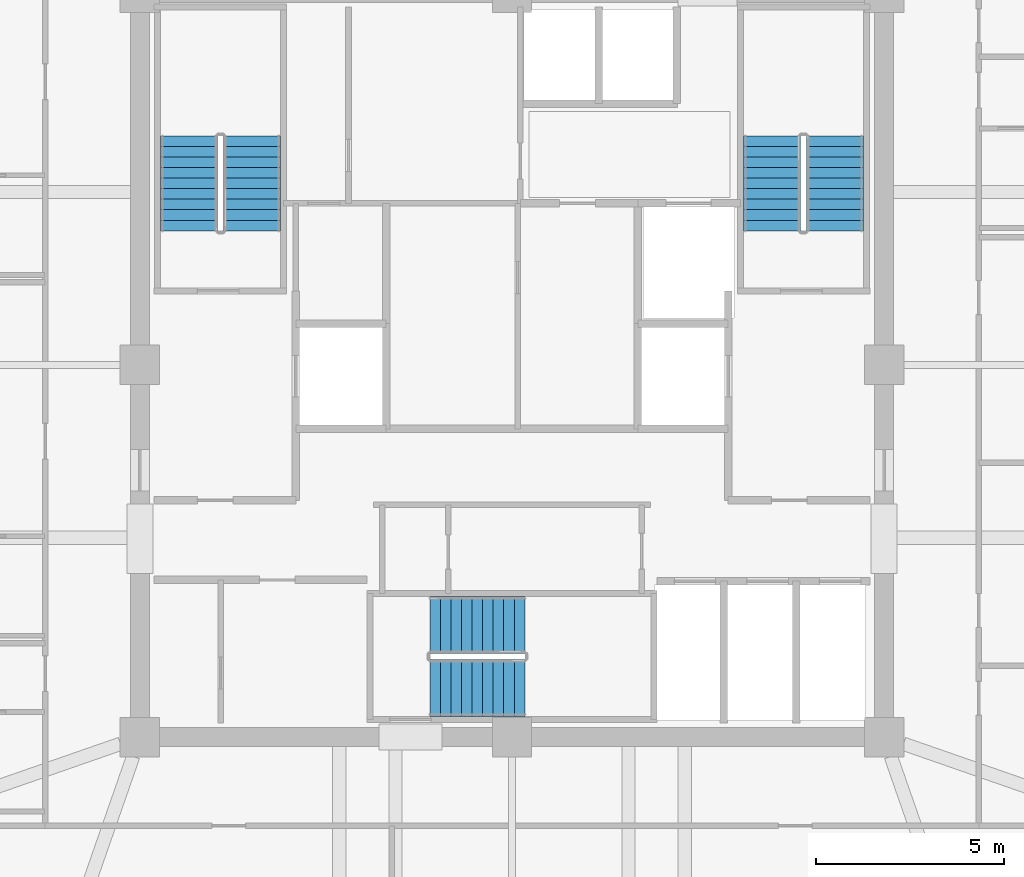
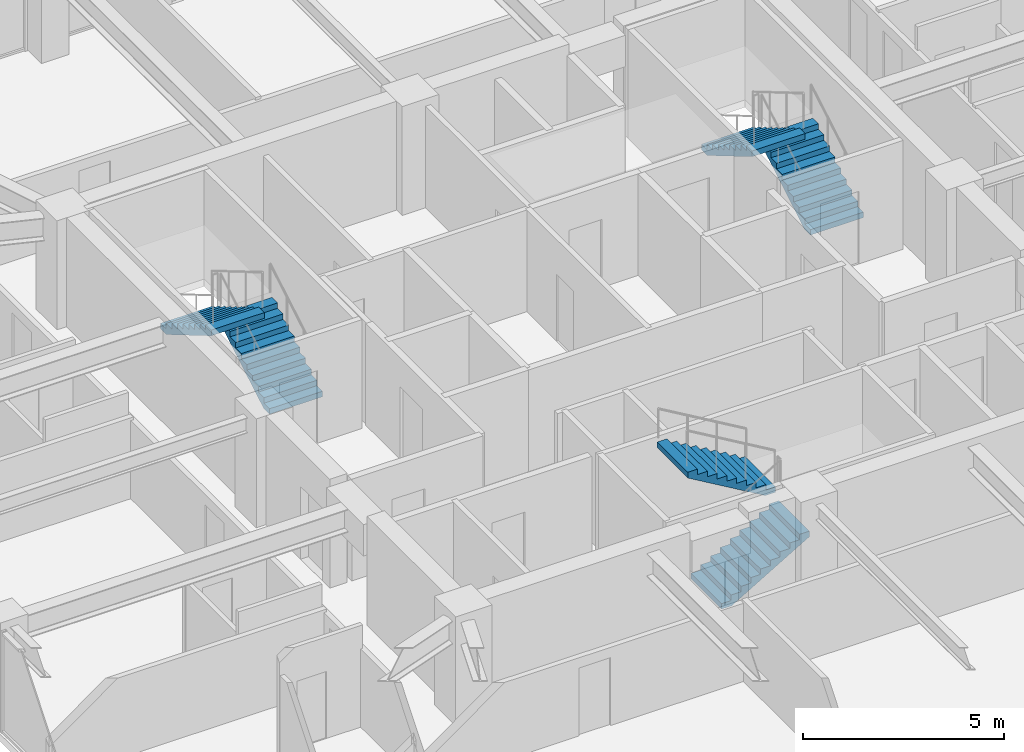
# One storey, part 34 of 36: 6 stair flights, 3 elements without a shape of their own.
"""IFC4 building model written with IfcOpenShell, lengths in metres."""

from ifc_helpers import new_model, si_unit, direction, frame, origin, place, context, subcontext, project, spatial, polyline, outline, extrude, material, type_object, element, aggregate, save


model = new_model("IFC4")

# Units and contexts
model_context = context("Model", 3, precision=1e-05, world=origin(), true_north=direction((0.0, 1.0)))
body_context = subcontext(model_context, "Body", "Model", "MODEL_VIEW")
ifc_project = project(units=[si_unit("LENGTHUNIT", "METRE"), si_unit("AREAUNIT", "SQUARE_METRE"), si_unit("VOLUMEUNIT", "CUBIC_METRE"), si_unit("PLANEANGLEUNIT", "RADIAN"), si_unit("MASSUNIT", "GRAM", prefix="KILO")], contexts=[model_context])

# Site, building, storey
site_placement = place(None, origin())
site = spatial("IfcSite", under=ifc_project, at=site_placement, CompositionType="ELEMENT")
building_placement = place(site_placement, origin())
building = spatial("IfcBuilding", under=site, at=building_placement, Name="Kolvaren Belvedere", CompositionType="ELEMENT")
storey_placement = place(building_placement, frame((0.0, 0.0, 199.800048828125)))
storey = spatial("IfcBuildingStorey", under=building, at=storey_placement, Name="L58", CompositionType="ELEMENT", Elevation=199.800048828125)

# Stair, stair flights
ifc_material_1 = material(Name="Concrete C50/60", Category="concrete")
stair_type = type_object("IfcStairType", Name="ST-CORE-1520", PredefinedType="HALF_TURN_STAIR", material=ifc_material_1)
stair_1_placement = place(storey_placement, origin())
stair_1 = element("IfcStair", 1, at=stair_1_placement, inside=storey, type_object=stair_type, Name="L58 Protected Exit Stair ST-1", PredefinedType="HALF_TURN_STAIR")
ifc_material_2 = material(Name="Concrete C50/60", Category="concrete")
stair_flight_type = type_object("IfcStairFlightType", Name="SF-STR-1520", PredefinedType="STRAIGHT", material=ifc_material_2)
stair_flight_1_placement = place(storey_placement, frame((-6.919921875, 3.570068359375, 0.0), z_axis=(0.0, 0.0, 1.0), x_axis=(0.0, 1.0, 0.0)))
stair_flight_1 = element("IfcStairFlight", 2, at=stair_flight_1_placement, type_object=stair_flight_type, Name="ST-1 flight 1", NumberOfRisers=10, NumberOfTreads=9, PredefinedType="STRAIGHT", RiserHeight=0.165, TreadLength=0.28, context=body_context, shape_type="SweptSolid", body=[
    extrude(outline(polyline([(0.0, 0.0), (0.0, 0.1650390625), (0.280029296875, 0.1650390625), (0.280029296875, 0.330078125), (0.56005859375, 0.330078125), (0.56005859375, 0.4951171875), (0.840087890625, 0.4951171875), (0.840087890625, 0.659912109375), (1.1201171875, 0.659912109375), (1.1201171875, 0.824951171875), (1.39990234375, 0.824951171875), (1.39990234375, 0.989990234375), (1.679931640625, 0.989990234375), (1.679931640625, 1.155029296875), (1.9599609375, 1.155029296875), (1.9599609375, 1.320068359375), (2.239990234375, 1.320068359375), (2.239990234375, 1.485107421875), (2.52001953125, 1.485107421875), (2.52001953125, 1.64990234375), (2.52001953125, 1.31103515625), (0.295166015625, 0.0), (0.0, 0.0)])), frame((0.0, 0.760009765625, 0.0), z_axis=(0.0, -1.0, 0.0), x_axis=(1.0, 0.0, 0.0)), (0.0, 0.0, 1.0), 1.52001953125),
])
stair_flight_2_placement = place(storey_placement, frame((-8.590087890625, 6.090087890625, 1.64990234375), z_axis=(0.0, 0.0, 1.0), x_axis=(0.0, -1.0, 0.0)))
stair_flight_2 = element("IfcStairFlight", 3, at=stair_flight_2_placement, type_object=stair_flight_type, Name="ST-1 flight 2", NumberOfRisers=10, NumberOfTreads=9, PredefinedType="STRAIGHT", RiserHeight=0.165, TreadLength=0.28, context=body_context, shape_type="SweptSolid", body=[
    extrude(outline(polyline([(0.0, 0.0), (0.0, 0.1650390625), (0.280029296875, 0.1650390625), (0.280029296875, 0.330078125), (0.56005859375, 0.330078125), (0.56005859375, 0.4951171875), (0.840087890625, 0.4951171875), (0.840087890625, 0.659912109375), (1.1201171875, 0.659912109375), (1.1201171875, 0.824951171875), (1.39990234375, 0.824951171875), (1.39990234375, 0.989990234375), (1.679931640625, 0.989990234375), (1.679931640625, 1.155029296875), (1.9599609375, 1.155029296875), (1.9599609375, 1.320068359375), (2.239990234375, 1.320068359375), (2.239990234375, 1.485107421875), (2.52001953125, 1.485107421875), (2.52001953125, 1.64990234375), (2.52001953125, 1.31103515625), (0.295166015625, 0.0), (0.0, 0.0)])), frame((0.0, 0.760009765625, 0.0), z_axis=(0.0, -1.0, 0.0), x_axis=(1.0, 0.0, 0.0)), (0.0, 0.0, 1.0), 1.52001953125),
])
aggregate(stair_1, [stair_flight_1, stair_flight_2])

stair_2_placement = place(storey_placement, origin())
stair_2 = element("IfcStair", 4, at=stair_2_placement, inside=storey, type_object=stair_type, Name="L58 Protected Exit Stair ST-2", PredefinedType="HALF_TURN_STAIR")
stair_flight_3_placement = place(storey_placement, frame((8.590087890625, 3.570068359375, 0.0), z_axis=(0.0, 0.0, 1.0), x_axis=(0.0, 1.0, 0.0)))
stair_flight_3 = element("IfcStairFlight", 5, at=stair_flight_3_placement, type_object=stair_flight_type, Name="ST-2 flight 1", NumberOfRisers=10, NumberOfTreads=9, PredefinedType="STRAIGHT", RiserHeight=0.165, TreadLength=0.28, context=body_context, shape_type="SweptSolid", body=[
    extrude(outline(polyline([(0.0, 0.0), (0.0, 0.1650390625), (0.280029296875, 0.1650390625), (0.280029296875, 0.330078125), (0.56005859375, 0.330078125), (0.56005859375, 0.4951171875), (0.840087890625, 0.4951171875), (0.840087890625, 0.659912109375), (1.1201171875, 0.659912109375), (1.1201171875, 0.824951171875), (1.39990234375, 0.824951171875), (1.39990234375, 0.989990234375), (1.679931640625, 0.989990234375), (1.679931640625, 1.155029296875), (1.9599609375, 1.155029296875), (1.9599609375, 1.320068359375), (2.239990234375, 1.320068359375), (2.239990234375, 1.485107421875), (2.52001953125, 1.485107421875), (2.52001953125, 1.64990234375), (2.52001953125, 1.31103515625), (0.295166015625, 0.0), (0.0, 0.0)])), frame((0.0, 0.760009765625, 0.0), z_axis=(0.0, -1.0, 0.0), x_axis=(1.0, 0.0, 0.0)), (0.0, 0.0, 1.0), 1.52001953125),
])
stair_flight_4_placement = place(storey_placement, frame((6.919921875, 6.090087890625, 1.64990234375), z_axis=(0.0, 0.0, 1.0), x_axis=(0.0, -1.0, 0.0)))
stair_flight_4 = element("IfcStairFlight", 6, at=stair_flight_4_placement, type_object=stair_flight_type, Name="ST-2 flight 2", NumberOfRisers=10, NumberOfTreads=9, PredefinedType="STRAIGHT", RiserHeight=0.165, TreadLength=0.28, context=body_context, shape_type="SweptSolid", body=[
    extrude(outline(polyline([(0.0, 0.0), (0.0, 0.1650390625), (0.280029296875, 0.1650390625), (0.280029296875, 0.330078125), (0.56005859375, 0.330078125), (0.56005859375, 0.4951171875), (0.840087890625, 0.4951171875), (0.840087890625, 0.659912109375), (1.1201171875, 0.659912109375), (1.1201171875, 0.824951171875), (1.39990234375, 0.824951171875), (1.39990234375, 0.989990234375), (1.679931640625, 0.989990234375), (1.679931640625, 1.155029296875), (1.9599609375, 1.155029296875), (1.9599609375, 1.320068359375), (2.239990234375, 1.320068359375), (2.239990234375, 1.485107421875), (2.52001953125, 1.485107421875), (2.52001953125, 1.64990234375), (2.52001953125, 1.31103515625), (0.295166015625, 0.0), (0.0, 0.0)])), frame((0.0, 0.760009765625, 0.0), z_axis=(0.0, -1.0, 0.0), x_axis=(1.0, 0.0, 0.0)), (0.0, 0.0, 1.0), 1.52001953125),
])
aggregate(stair_2, [stair_flight_3, stair_flight_4])

stair_3_placement = place(storey_placement, origin())
stair_3 = element("IfcStair", 7, at=stair_3_placement, inside=storey, type_object=stair_type, Name="L58 Protected Exit Stair ST-3", PredefinedType="HALF_TURN_STAIR")
stair_flight_5_placement = place(storey_placement, frame((-2.179931640625, -8.590087890625, 0.0), z_axis=(0.0, 0.0, 1.0), x_axis=(1.0, 0.0, 0.0)))
stair_flight_5 = element("IfcStairFlight", 8, at=stair_flight_5_placement, type_object=stair_flight_type, Name="ST-3 flight 1", NumberOfRisers=10, NumberOfTreads=9, PredefinedType="STRAIGHT", RiserHeight=0.165, TreadLength=0.28, context=body_context, shape_type="SweptSolid", body=[
    extrude(outline(polyline([(0.0, 0.0), (0.0, 0.1650390625), (0.280029296875, 0.1650390625), (0.280029296875, 0.330078125), (0.56005859375, 0.330078125), (0.56005859375, 0.4951171875), (0.840087890625, 0.4951171875), (0.840087890625, 0.659912109375), (1.1201171875, 0.659912109375), (1.1201171875, 0.824951171875), (1.39990234375, 0.824951171875), (1.39990234375, 0.989990234375), (1.679931640625, 0.989990234375), (1.679931640625, 1.155029296875), (1.9599609375, 1.155029296875), (1.9599609375, 1.320068359375), (2.239990234375, 1.320068359375), (2.239990234375, 1.485107421875), (2.52001953125, 1.485107421875), (2.52001953125, 1.64990234375), (2.52001953125, 1.31103515625), (0.295166015625, 0.0), (0.0, 0.0)])), frame((0.0, 0.760009765625, 0.0), z_axis=(0.0, -1.0, 0.0), x_axis=(1.0, 0.0, 0.0)), (0.0, 0.0, 1.0), 1.52001953125),
])
stair_flight_6_placement = place(storey_placement, frame((0.340087890625, -6.919921875, 1.64990234375), z_axis=(0.0, 0.0, 1.0), x_axis=(-1.0, 0.0, 0.0)))
stair_flight_6 = element("IfcStairFlight", 9, at=stair_flight_6_placement, type_object=stair_flight_type, Name="ST-3 flight 2", NumberOfRisers=10, NumberOfTreads=9, PredefinedType="STRAIGHT", RiserHeight=0.165, TreadLength=0.28, context=body_context, shape_type="SweptSolid", body=[
    extrude(outline(polyline([(0.0, 0.0), (0.0, 0.1650390625), (0.280029296875, 0.1650390625), (0.280029296875, 0.330078125), (0.56005859375, 0.330078125), (0.56005859375, 0.4951171875), (0.840087890625, 0.4951171875), (0.840087890625, 0.659912109375), (1.1201171875, 0.659912109375), (1.1201171875, 0.824951171875), (1.39990234375, 0.824951171875), (1.39990234375, 0.989990234375), (1.679931640625, 0.989990234375), (1.679931640625, 1.155029296875), (1.9599609375, 1.155029296875), (1.9599609375, 1.320068359375), (2.239990234375, 1.320068359375), (2.239990234375, 1.485107421875), (2.52001953125, 1.485107421875), (2.52001953125, 1.64990234375), (2.52001953125, 1.31103515625), (0.295166015625, 0.0), (0.0, 0.0)])), frame((0.0, 0.760009765625, 0.0), z_axis=(0.0, -1.0, 0.0), x_axis=(1.0, 0.0, 0.0)), (0.0, 0.0, 1.0), 1.52001953125),
])
aggregate(stair_3, [stair_flight_5, stair_flight_6])

save(model, "model.ifc")
